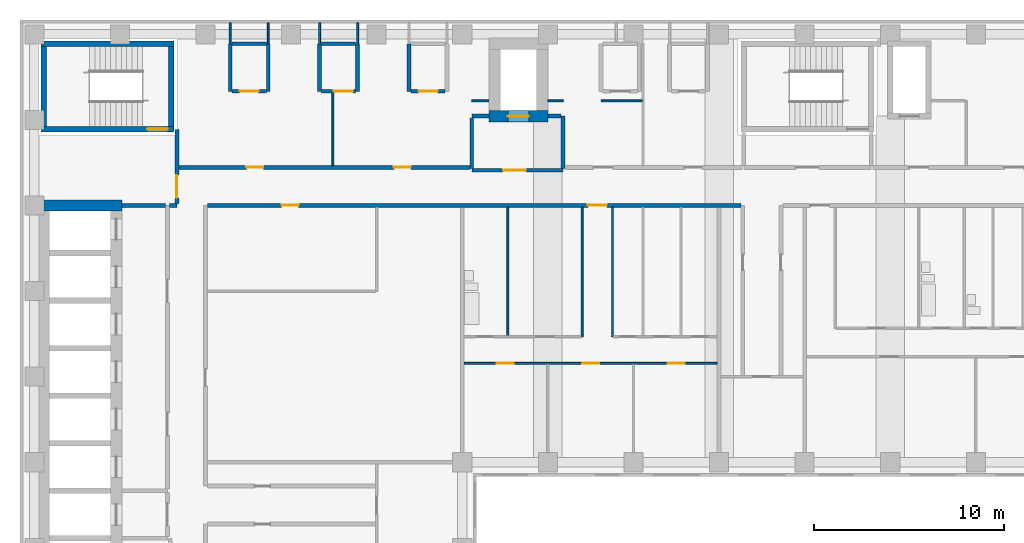
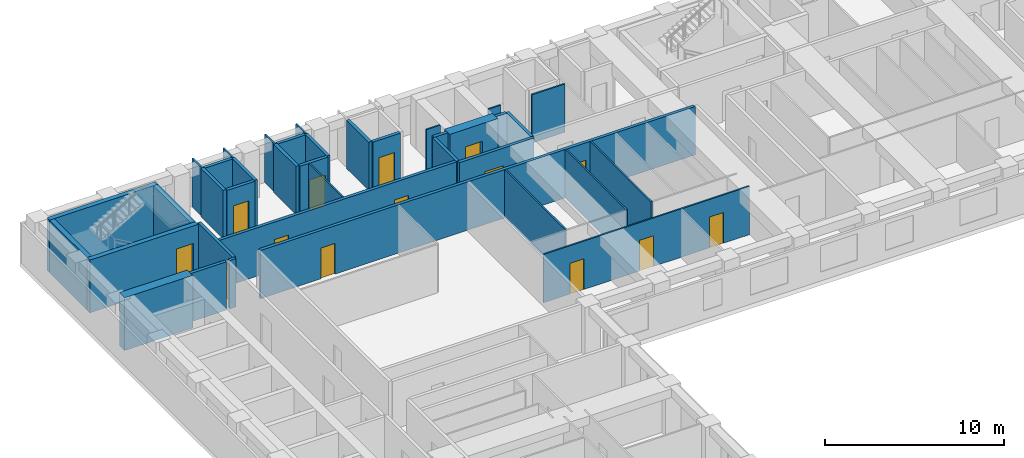
# One storey, part 5 of 11: 38 walls, 14 doors, 14 openings.
"""IFC4 building model written with IfcOpenShell, lengths in metres."""

import ifcopenshell
import ifcopenshell.guid

model = None  # the IFC model being written
_history = None  # IfcOwnerHistory: only IFC2X3 demands one
_inside = {}  # id of a spatial element -> (the spatial element, [elements in it])
_under = {}  # id of a project, library or spatial element -> (it, [spatial elements below it])
_declared = {}  # id of a project -> (the project, [libraries it declares])
_typed = {}  # id of a type object -> (the type object, [elements of that type])
_made_of = {}  # id of a material, layer set ... -> (it, [elements and type objects made of it])


def new_model(schema):
    """Start an empty IFC model of exactly this schema.

    Asked for "IFC4X3", IfcOpenShell would pick the latest addendum, in which some entities
    have other attributes; the version numbers below select the first issue.
    IFC2X3 requires an IfcOwnerHistory on every rooted entity: one is made here for all.
    """
    global model, _history
    if schema == "IFC4X3":
        model = ifcopenshell.file(schema_version=(4, 3, 0, 0))
    else:
        model = ifcopenshell.file(schema=schema)
    _inside.clear()
    _under.clear()
    _declared.clear()
    _typed.clear()
    _made_of.clear()
    _history = None
    if model.schema == "IFC2X3":
        org = make("IfcOrganization", Name="unknown")
        user = make(
            "IfcPersonAndOrganization",
            ThePerson=make("IfcPerson", FamilyName="unknown"),
            TheOrganization=org,
        )
        app = make(
            "IfcApplication",
            ApplicationDeveloper=org,
            Version="unknown",
            ApplicationFullName="unknown",
            ApplicationIdentifier="unknown",
        )
        _history = make(
            "IfcOwnerHistory",
            OwningUser=user,
            OwningApplication=app,
            ChangeAction="ADDED",
            CreationDate=0,
        )
    return model


def make(cls, **values):
    """One entity of the class cls with the attributes given. An attribute that is None is left unset."""
    return model.create_entity(
        cls, **{name: value for name, value in values.items() if value is not None}
    )


def rooted(cls, **values):
    """An entity with a GlobalId (a new one), such as an element, a storey or a relation."""
    return make(cls, GlobalId=ifcopenshell.guid.new(), OwnerHistory=_history, **values)


def si_unit(unit_type, name, prefix=None):
    """IfcSIUnit, for example si_unit("LENGTHUNIT", "METRE", prefix="MILLI")."""
    return make("IfcSIUnit", UnitType=unit_type, Prefix=prefix, Name=name)


def assignment(units):
    """IfcUnitAssignment: the units of a project."""
    return None if units is None else make("IfcUnitAssignment", Units=units)


def point(xyz):
    """IfcCartesianPoint."""
    return None if xyz is None else make("IfcCartesianPoint", Coordinates=xyz)


def direction(xyz):
    """IfcDirection."""
    return None if xyz is None else make("IfcDirection", DirectionRatios=xyz)


def frame(location, z_axis=None, x_axis=None):
    """IfcAxis2Placement3D, a coordinate frame: its origin and axes. An axis left out is left unset."""
    return make(
        "IfcAxis2Placement3D",
        Location=point(location),
        Axis=direction(z_axis),
        RefDirection=direction(x_axis),
    )


def frame_2d(location, x_axis=None):
    """IfcAxis2Placement2D, a coordinate frame in the plane: its origin and x axis."""
    return make(
        "IfcAxis2Placement2D", Location=point(location), RefDirection=direction(x_axis)
    )


def origin():
    """The frame at (0, 0, 0) with its axes left unset."""
    return frame((0.0, 0.0, 0.0))


def place(relative_to, where):
    """IfcLocalPlacement: puts the frame where relative to a parent placement (None: the world)."""
    return make(
        "IfcLocalPlacement", PlacementRelTo=relative_to, RelativePlacement=where
    )


def context(
    kind, dimensions, precision=None, world=None, true_north=None, identifier=None
):
    """IfcGeometricRepresentationContext, for example the 3D "Model" context."""
    return make(
        "IfcGeometricRepresentationContext",
        ContextIdentifier=identifier,
        ContextType=kind,
        CoordinateSpaceDimension=dimensions,
        Precision=precision,
        WorldCoordinateSystem=world,
        TrueNorth=true_north,
    )


def subcontext(parent, identifier, kind, view, scale=None):
    """IfcGeometricRepresentationSubContext, for example "Body" below "Model"."""
    return make(
        "IfcGeometricRepresentationSubContext",
        ContextIdentifier=identifier,
        ContextType=kind,
        ParentContext=parent,
        TargetScale=scale,
        TargetView=view,
    )


def project(units=None, contexts=None):
    """IfcProject with its units and contexts."""
    return rooted(
        "IfcProject",
        Name="project",
        RepresentationContexts=contexts,
        UnitsInContext=assignment(units),
    )


def spatial(cls, under=None, at=None, **own):
    """A site, building, storey or space (cls), placed at a placement, below another one or the project."""
    s = rooted(cls, ObjectPlacement=at, **own)
    if under is not None:
        _under.setdefault(under.id(), (under, []))[1].append(s)
    return s


def profile(cls, at=None, kind="AREA", **sizes):
    """A parametric profile (cls). Its sizes go by their IFC names, for example OverallWidth=200.0."""
    return make(cls, ProfileType=kind, Position=at, **sizes)


def rectangle(**sizes):
    """IfcRectangleProfileDef."""
    return profile("IfcRectangleProfileDef", **sizes)


def extrude(swept, where, along, depth):
    """IfcExtrudedAreaSolid: the profile swept, set in the frame where, extruded along a direction by depth."""
    return make(
        "IfcExtrudedAreaSolid",
        SweptArea=swept,
        Position=where,
        ExtrudedDirection=direction(along),
        Depth=depth,
    )


def shape(context_of_items, identifier, shape_type, items):
    """IfcShapeRepresentation: the items that make up one representation, for example the "Body"."""
    return make(
        "IfcShapeRepresentation",
        ContextOfItems=context_of_items,
        RepresentationIdentifier=identifier,
        RepresentationType=shape_type,
        Items=items,
    )


def material(Name=None, Category=None):
    """IfcMaterial."""
    return make("IfcMaterial", Name=Name, Category=Category)


def layer(
    of_material, thickness, ventilated=None, Name=None, Category=None, Priority=None
):
    """IfcMaterialLayer: one layer of a wall or slab, of a material (None: an air gap)."""
    return make(
        "IfcMaterialLayer",
        Material=of_material,
        LayerThickness=thickness,
        IsVentilated=ventilated,
        Name=Name,
        Category=Category,
        Priority=Priority,
    )


def layer_set(layers, Name=None):
    """IfcMaterialLayerSet."""
    return make("IfcMaterialLayerSet", MaterialLayers=layers, LayerSetName=Name)


def made_of(thing, what):
    """Note that an element or type object is made of a material, layer set ...; save() writes the relation."""
    if what is not None:
        _made_of.setdefault(what.id(), (what, []))[1].append(thing)
    return thing


def type_object(cls, material=None, **own):
    """A type object (cls), such as IfcWallType, which elements share."""
    return made_of(rooted(cls, **own), material)


def element(
    cls,
    number,
    at=None,
    inside=None,
    cuts=None,
    type_object=None,
    material=None,
    context=None,
    identifier="Body",
    shape_type=None,
    held_by="IfcProductDefinitionShape",
    body=None,
    shapes=None,
    **own,
):
    """One element of the class cls, such as IfcWall. Its Tag is "e" and its number.

    at: its placement. inside: the storey or other place that contains it. cuts: it is an
    opening in that element (IfcRelVoidsElement). A single representation is given by context,
    identifier, shape_type and body (its items); several are given by shapes. held_by: the class
    of the entity that holds the representations. save() writes the other relations.
    """
    e = rooted(cls, Tag="e%d" % number, ObjectPlacement=at, **own)
    if body is not None:
        shapes = [shape(context, identifier, shape_type, body)]
    if shapes is not None:
        e.Representation = make(held_by, Representations=shapes)
    if inside is not None:
        _inside.setdefault(inside.id(), (inside, []))[1].append(e)
    if cuts is not None:
        rooted(
            "IfcRelVoidsElement", RelatingBuildingElement=cuts, RelatedOpeningElement=e
        )
    if type_object is not None:
        _typed.setdefault(type_object.id(), (type_object, []))[1].append(e)
    return made_of(e, material)


def fill(opening, filler):
    """IfcRelFillsElement: the door or window that sits in an opening."""
    return rooted(
        "IfcRelFillsElement",
        RelatingOpeningElement=opening,
        RelatedBuildingElement=filler,
    )


def aggregate(whole, parts):
    """IfcRelAggregates: a whole, such as a stair, and the parts it consists of."""
    return rooted("IfcRelAggregates", RelatingObject=whole, RelatedObjects=parts)


def save(model, path):
    """Write the relations noted so far, then the file.

    IfcRelAggregates (storeys below a building ...), IfcRelContainedInSpatialStructure (elements
    in a storey), IfcRelDefinesByType, IfcRelAssociatesMaterial and IfcRelDeclares: one each for
    every whole, place, type object, material and project.
    """
    for whole, parts in _under.values():
        aggregate(whole, parts)
    for where, things in _inside.values():
        rooted(
            "IfcRelContainedInSpatialStructure",
            RelatedElements=things,
            RelatingStructure=where,
        )
    for kind, things in _typed.values():
        rooted("IfcRelDefinesByType", RelatedObjects=things, RelatingType=kind)
    for what, things in _made_of.values():
        rooted("IfcRelAssociatesMaterial", RelatedObjects=things, RelatingMaterial=what)
    for by, libraries in _declared.values():
        rooted("IfcRelDeclares", RelatingContext=by, RelatedDefinitions=libraries)
    model.write(path)


model = new_model("IFC4")

# Units and contexts
model_context = context("Model", 3, precision=1e-05, world=origin(), true_north=direction((0.0, 1.0)))
body_context = subcontext(model_context, "Body", "Model", "MODEL_VIEW")
ifc_project = project(units=[si_unit("LENGTHUNIT", "METRE"), si_unit("AREAUNIT", "SQUARE_METRE"), si_unit("VOLUMEUNIT", "CUBIC_METRE"), si_unit("PLANEANGLEUNIT", "RADIAN"), si_unit("MASSUNIT", "GRAM", prefix="KILO")], contexts=[model_context])

# Site, building, storey
site_placement = place(None, origin())
site = spatial("IfcSite", under=ifc_project, at=site_placement, CompositionType="ELEMENT")
building_placement = place(site_placement, origin())
building = spatial("IfcBuilding", under=site, at=building_placement, Name="Firuza Court", CompositionType="ELEMENT")
storey_placement = place(building_placement, frame((0.0, 0.0, 130.39990234375)))
storey = spatial("IfcBuildingStorey", under=building, at=storey_placement, Name="L32", CompositionType="ELEMENT", Elevation=130.39990234375)

# Wall
ifc_material_1 = material(Name="Moisture-resistant gypsum board partition")
ifc_layer_1 = layer(ifc_material_1, 0.10009765625)
ifc_layer_set_1 = layer_set([ifc_layer_1], Name="Moisture-resistant gypsum board partition")
wall_type_1 = type_object("IfcWallType", Name="Bathroom partition 100", PredefinedType="PLUMBINGWALL", material=ifc_layer_set_1)
wall_1_placement = place(storey_placement, frame((24.89990234375, 42.64990234375, 0.0), z_axis=(0.0, 0.0, 1.0), x_axis=(0.0, 1.0, 0.0)))
element("IfcWall", 1, at=wall_1_placement, inside=storey, type_object=wall_type_1, Name="Bathroom partition 100 L32", PredefinedType="PLUMBINGWALL", context=body_context, shape_type="SweptSolid", body=[
    extrude(rectangle(XDim=6.75, YDim=0.10009765625, at=frame_2d((3.375, 0.0))), origin(), (0.0, 0.0, 1.0), 3.300048828125),
])

# Wall, opening, door
ifc_material_2 = material(Name="Concrete C60/75", Category="concrete")
ifc_layer_2 = layer(ifc_material_2, 0.300048828125)
ifc_layer_set_2 = layer_set([ifc_layer_2], Name="Concrete C60/75")
wall_type_2 = type_object("IfcWallType", Name="Core wall 300 C60/75", PredefinedType="SHEAR", material=ifc_layer_set_2)
wall_2_placement = place(storey_placement, frame((0.35009765625, 53.5, -0.2998046875), z_axis=(0.0, 0.0, 1.0), x_axis=(1.0, 0.0, 0.0)))
wall_2 = element("IfcWall", 2, at=wall_2_placement, inside=storey, type_object=wall_type_2, Name="Core wall stair L32", PredefinedType="SHEAR", context=body_context, shape_type="SweptSolid", body=[
    extrude(rectangle(XDim=7.0, YDim=0.300048828125, at=frame_2d((3.5, 0.0))), origin(), (0.0, 0.0, 1.0), 3.599853515625),
])
opening_1_placement = place(wall_2_placement, frame((5.580078125, 0.0, 0.300048828125)))
opening_1 = element("IfcOpeningElement", 3, at=opening_1_placement, cuts=wall_2, Name="Opening D32015", PredefinedType="OPENING", context=body_context, shape_type="SweptSolid", body=[
    extrude(rectangle(XDim=1.10009765625, YDim=2.10009765625, at=frame_2d((0.550048828125, 1.050048828125))), frame((0.0, 0.162109375, 0.0), z_axis=(0.0, -1.0, 0.0), x_axis=(1.0, 0.0, 0.0)), (0.0, 0.0, 1.0), 0.323974609375),
])
ifc_material_3 = material(Name="Timber door leaf in hardwood frame", Category="wood")
door_type_1 = type_object("IfcDoorType", Name="Stair door 1100", OperationType="SINGLE_SWING_LEFT", PredefinedType="DOOR", material=ifc_material_3)
door_1_placement = place(opening_1_placement, origin())
door_1 = element("IfcDoor", 4, at=door_1_placement, inside=storey, type_object=door_type_1, Name="Stair door S3", OperationType="SINGLE_SWING_RIGHT", OverallHeight=2.10009765625, OverallWidth=1.10009765625, PredefinedType="DOOR", context=body_context, shape_type="SweptSolid", body=[
    extrude(rectangle(XDim=1.10009765625, YDim=2.10009765625, at=frame_2d((0.550048828125, 1.050048828125))), frame((0.0, 0.02490234375, 0.0), z_axis=(0.0, -1.0, 0.0), x_axis=(1.0, 0.0, 0.0)), (0.0, 0.0, 1.0), 0.050048828125),
])
fill(opening_1, door_1)

# Walls
wall_3_placement = place(storey_placement, frame((0.35009765625, 58.0, -0.2998046875), z_axis=(0.0, 0.0, 1.0), x_axis=(1.0, 0.0, 0.0)))
element("IfcWall", 5, at=wall_3_placement, inside=storey, type_object=wall_type_2, Name="Core wall stair L32", PredefinedType="SHEAR", context=body_context, shape_type="SweptSolid", body=[
    extrude(rectangle(XDim=7.0, YDim=0.300048828125, at=frame_2d((3.5, 0.0))), origin(), (0.0, 0.0, 1.0), 3.599853515625),
])
for number, where, z_axis, x_axis, name in (
    (6, (0.5, 53.64990234375, -0.2998046875), (0.0, 0.0, 1.0), (0.0, 1.0, 0.0), "Core wall stair L32"),
    (7, (7.199951171875, 53.64990234375, -0.2998046875), (0.0, 0.0, 1.0), (0.0, 1.0, 0.0), "Core wall stair L32"),
):
    element("IfcWall", number, at=place(storey_placement, frame(where, z_axis=z_axis, x_axis=x_axis)), inside=storey, type_object=wall_type_2, Name=name, PredefinedType="SHEAR", context=body_context, shape_type="SweptSolid", body=[
        extrude(rectangle(XDim=4.2001953125, YDim=0.300048828125, at=frame_2d((2.10009765625, 0.0))), origin(), (0.0, 0.0, 1.0), 3.599853515625),
    ])
ifc_layer_3 = layer(ifc_material_2, 0.60009765625)
ifc_layer_set_3 = layer_set([ifc_layer_3], Name="Concrete C60/75")
wall_type_3 = type_object("IfcWallType", Name="Core wall 600 C60/75", PredefinedType="SHEAR", material=ifc_layer_set_3)
wall_4_placement = place(storey_placement, frame((0.199951171875, 49.5, -0.2998046875), z_axis=(0.0, 0.0, 1.0), x_axis=(1.0, 0.0, 0.0)))
element("IfcWall", 8, at=wall_4_placement, inside=storey, type_object=wall_type_3, Name="Core wall lift shaft L32", PredefinedType="SHEAR", context=body_context, shape_type="SweptSolid", body=[
    extrude(rectangle(XDim=4.400146484375, YDim=0.60009765625, at=frame_2d((2.2001953125, 0.0))), origin(), (0.0, 0.0, 1.0), 3.599853515625),
])

# Wall, opening, door
wall_5_placement = place(storey_placement, frame((23.89990234375, 54.199951171875, -0.2998046875), z_axis=(0.0, 0.0, 1.0), x_axis=(1.0, 0.0, 0.0)))
wall_5 = element("IfcWall", 9, at=wall_5_placement, inside=storey, type_object=wall_type_3, Name="Core wall lift shaft L32", PredefinedType="SHEAR", context=body_context, shape_type="SweptSolid", body=[
    extrude(rectangle(XDim=3.10009765625, YDim=0.60009765625, at=frame_2d((1.550048828125, 0.0))), origin(), (0.0, 0.0, 1.0), 3.599853515625),
])
opening_2_placement = place(wall_5_placement, frame((1.0, 0.0, 0.300048828125)))
opening_2 = element("IfcOpeningElement", 10, at=opening_2_placement, cuts=wall_5, Name="Opening LD-FL3-32", PredefinedType="OPENING", context=body_context, shape_type="SweptSolid", body=[
    extrude(rectangle(XDim=1.10009765625, YDim=2.10009765625, at=frame_2d((0.550048828125, 1.050048828125))), frame((0.0, 0.31201171875, 0.0), z_axis=(0.0, -1.0, 0.0), x_axis=(1.0, 0.0, 0.0)), (0.0, 0.0, 1.0), 0.6240234375),
])
ifc_material_4 = material(Name="Stainless steel 1.4301 door leaf", Category="steel")
door_type_2 = type_object("IfcDoorType", Name="Lift landing door 1100", OperationType="SLIDING_TO_LEFT", PredefinedType="DOOR", material=ifc_material_4)
door_2_placement = place(opening_2_placement, origin())
door_2 = element("IfcDoor", 11, at=door_2_placement, inside=storey, type_object=door_type_2, Name="Landing door FL3", OperationType="SLIDING_TO_LEFT", OverallHeight=2.10009765625, OverallWidth=1.10009765625, PredefinedType="DOOR", context=body_context, shape_type="SweptSolid", body=[
    extrude(rectangle(XDim=1.10009765625, YDim=2.10009765625, at=frame_2d((0.550048828125, 1.050048828125))), frame((0.0, 0.02490234375, 0.0), z_axis=(0.0, -1.0, 0.0), x_axis=(1.0, 0.0, 0.0)), (0.0, 0.0, 1.0), 0.050048828125),
])
fill(opening_2, door_2)

# Wall, openings, doors
ifc_material_5 = material(Name="Blockwork, plastered both sides", Category="masonry")
ifc_layer_4 = layer(ifc_material_5, 0.199951171875)
ifc_layer_set_4 = layer_set([ifc_layer_4], Name="Blockwork, plastered both sides")
wall_type_4 = type_object("IfcWallType", Name="Corridor wall 200", PredefinedType="PARTITIONING", material=ifc_layer_set_4)
wall_6_placement = place(storey_placement, frame((9.10009765625, 49.5, 0.0), z_axis=(0.0, 0.0, 1.0), x_axis=(1.0, 0.0, 0.0)))
wall_6 = element("IfcWall", 12, at=wall_6_placement, inside=storey, type_object=wall_type_4, Name="Corridor wall 200 L32", PredefinedType="PARTITIONING", context=body_context, shape_type="SweptSolid", body=[
    extrude(rectangle(XDim=28.0498046875, YDim=0.199951171875, at=frame_2d((14.02490234375, 0.0))), origin(), (0.0, 0.0, 1.0), 3.300048828125),
])
opening_3_placement = place(wall_6_placement, frame((20.0, 0.0, 0.0)))
opening_3 = element("IfcOpeningElement", 13, at=opening_3_placement, cuts=wall_6, Name="Opening D32064", PredefinedType="OPENING", context=body_context, shape_type="SweptSolid", body=[
    extrude(rectangle(XDim=1.0, YDim=2.10009765625, at=frame_2d((0.5, 1.050048828125))), frame((0.0, 0.11181640625, 0.0), z_axis=(0.0, -1.0, 0.0), x_axis=(1.0, 0.0, 0.0)), (0.0, 0.0, 1.0), 0.223876953125),
])
opening_4_placement = place(wall_6_placement, frame((3.89990234375, 0.0, 0.0)))
opening_4 = element("IfcOpeningElement", 14, at=opening_4_placement, cuts=wall_6, Name="Opening D32065", PredefinedType="OPENING", context=body_context, shape_type="SweptSolid", body=[
    extrude(rectangle(XDim=0.89990234375, YDim=2.10009765625, at=frame_2d((0.449951171875, 1.050048828125))), frame((0.0, 0.11181640625, 0.0), z_axis=(0.0, -1.0, 0.0), x_axis=(1.0, 0.0, 0.0)), (0.0, 0.0, 1.0), 0.223876953125),
])
ifc_material_6 = material(Name="Timber door leaf in hardwood frame", Category="wood")
door_type_3 = type_object("IfcDoorType", Name="Flat entrance door 1000", OperationType="SINGLE_SWING_LEFT", PredefinedType="DOOR", material=ifc_material_6)
door_3_placement = place(opening_3_placement, origin())
door_3 = element("IfcDoor", 15, at=door_3_placement, inside=storey, type_object=door_type_3, Name="Flat entrance door", OperationType="SINGLE_SWING_LEFT", OverallHeight=2.10009765625, OverallWidth=1.0, PredefinedType="DOOR", context=body_context, shape_type="SweptSolid", body=[
    extrude(rectangle(XDim=1.0, YDim=2.10009765625, at=frame_2d((0.5, 1.050048828125))), frame((0.0, 0.02490234375, 0.0), z_axis=(0.0, -1.0, 0.0), x_axis=(1.0, 0.0, 0.0)), (0.0, 0.0, 1.0), 0.050048828125),
])
fill(opening_3, door_3)
ifc_material_7 = material(Name="Timber door leaf in hardwood frame", Category="wood")
door_type_4 = type_object("IfcDoorType", Name="Room door 900 EI 30", OperationType="SINGLE_SWING_LEFT", PredefinedType="DOOR", material=ifc_material_7)
door_4_placement = place(opening_4_placement, frame((0.89990234375, 0.0, 0.0), z_axis=(0.0, 0.0, 1.0), x_axis=(-1.0, 0.0, 0.0)))
door_4 = element("IfcDoor", 16, at=door_4_placement, inside=storey, type_object=door_type_4, Name="Meeting room door", OperationType="SINGLE_SWING_RIGHT", OverallHeight=2.10009765625, OverallWidth=0.89990234375, PredefinedType="DOOR", context=body_context, shape_type="SweptSolid", body=[
    extrude(rectangle(XDim=0.89990234375, YDim=2.10009765625, at=frame_2d((0.449951171875, 1.050048828125))), frame((0.0, 0.02490234375, 0.0), z_axis=(0.0, -1.0, 0.0), x_axis=(1.0, 0.0, 0.0)), (0.0, 0.0, 1.0), 0.050048828125),
])
fill(opening_4, door_4)

wall_7_placement = place(storey_placement, frame((7.60009765625, 51.5, 0.0), z_axis=(0.0, 0.0, 1.0), x_axis=(1.0, 0.0, 0.0)))
wall_7 = element("IfcWall", 17, at=wall_7_placement, inside=storey, type_object=wall_type_4, Name="Corridor wall 200 L32", PredefinedType="PARTITIONING", context=body_context, shape_type="SweptSolid", body=[
    extrude(rectangle(XDim=15.2998046875, YDim=0.199951171875, at=frame_2d((7.64990234375, 0.0))), origin(), (0.0, 0.0, 1.0), 3.300048828125),
])
opening_5_placement = place(wall_7_placement, frame((3.550048828125, 0.0, 0.0)))
opening_5 = element("IfcOpeningElement", 18, at=opening_5_placement, cuts=wall_7, Name="Opening D32068", PredefinedType="OPENING", context=body_context, shape_type="SweptSolid", body=[
    extrude(rectangle(XDim=0.89990234375, YDim=2.10009765625, at=frame_2d((0.449951171875, 1.050048828125))), frame((0.0, 0.11181640625, 0.0), z_axis=(0.0, -1.0, 0.0), x_axis=(1.0, 0.0, 0.0)), (0.0, 0.0, 1.0), 0.223876953125),
])
opening_6_placement = place(wall_7_placement, frame((11.300048828125, 0.0, 0.0)))
opening_6 = element("IfcOpeningElement", 19, at=opening_6_placement, cuts=wall_7, Name="Opening D32069", PredefinedType="OPENING", context=body_context, shape_type="SweptSolid", body=[
    extrude(rectangle(XDim=0.89990234375, YDim=2.10009765625, at=frame_2d((0.449951171875, 1.050048828125))), frame((0.0, 0.11181640625, 0.0), z_axis=(0.0, -1.0, 0.0), x_axis=(1.0, 0.0, 0.0)), (0.0, 0.0, 1.0), 0.223876953125),
])
door_5_placement = place(opening_5_placement, origin())
door_5 = element("IfcDoor", 20, at=door_5_placement, inside=storey, type_object=door_type_4, Name="Meeting room door", OperationType="SINGLE_SWING_LEFT", OverallHeight=2.10009765625, OverallWidth=0.89990234375, PredefinedType="DOOR", context=body_context, shape_type="SweptSolid", body=[
    extrude(rectangle(XDim=0.89990234375, YDim=2.10009765625, at=frame_2d((0.449951171875, 1.050048828125))), frame((0.0, 0.02490234375, 0.0), z_axis=(0.0, -1.0, 0.0), x_axis=(1.0, 0.0, 0.0)), (0.0, 0.0, 1.0), 0.050048828125),
])
fill(opening_5, door_5)
door_6_placement = place(opening_6_placement, origin())
door_6 = element("IfcDoor", 21, at=door_6_placement, inside=storey, type_object=door_type_4, Name="Meeting room door", OperationType="SINGLE_SWING_LEFT", OverallHeight=2.10009765625, OverallWidth=0.89990234375, PredefinedType="DOOR", context=body_context, shape_type="SweptSolid", body=[
    extrude(rectangle(XDim=0.89990234375, YDim=2.10009765625, at=frame_2d((0.449951171875, 1.050048828125))), frame((0.0, 0.02490234375, 0.0), z_axis=(0.0, -1.0, 0.0), x_axis=(1.0, 0.0, 0.0)), (0.0, 0.0, 1.0), 0.050048828125),
])
fill(opening_6, door_6)

ifc_material_8 = material(Name="Timber stud partition, plasterboard both sides", Category="wood")
ifc_layer_5 = layer(ifc_material_8, 0.10009765625)
ifc_layer_set_5 = layer_set([ifc_layer_5], Name="Timber stud partition, plasterboard both sides")
wall_type_5 = type_object("IfcWallType", Name="Partition wall 100", PredefinedType="PARTITIONING", material=ifc_layer_set_5)
wall_8_placement = place(storey_placement, frame((22.60009765625, 41.199951171875, 0.0), z_axis=(0.0, 0.0, 1.0), x_axis=(1.0, 0.0, 0.0)))
wall_8 = element("IfcWall", 22, at=wall_8_placement, inside=storey, type_object=wall_type_5, Name="Partition wall 100 L32", PredefinedType="PARTITIONING", context=body_context, shape_type="SweptSolid", body=[
    extrude(rectangle(XDim=13.2998046875, YDim=0.10009765625, at=frame_2d((6.64990234375, 0.0))), origin(), (0.0, 0.0, 1.0), 3.300048828125),
])
opening_7_placement = place(wall_8_placement, frame((1.699951171875, 0.0, 0.0)))
opening_7 = element("IfcOpeningElement", 23, at=opening_7_placement, cuts=wall_8, Name="Opening D32045", PredefinedType="OPENING", context=body_context, shape_type="SweptSolid", body=[
    extrude(rectangle(XDim=0.89990234375, YDim=2.10009765625, at=frame_2d((0.449951171875, 1.050048828125))), frame((0.0, 0.06201171875, 0.0), z_axis=(0.0, -1.0, 0.0), x_axis=(1.0, 0.0, 0.0)), (0.0, 0.0, 1.0), 0.1240234375),
])
opening_8_placement = place(wall_8_placement, frame((6.199951171875, 0.0, 0.0)))
opening_8 = element("IfcOpeningElement", 24, at=opening_8_placement, cuts=wall_8, Name="Opening D32046", PredefinedType="OPENING", context=body_context, shape_type="SweptSolid", body=[
    extrude(rectangle(XDim=0.89990234375, YDim=2.10009765625, at=frame_2d((0.449951171875, 1.050048828125))), frame((0.0, 0.06201171875, 0.0), z_axis=(0.0, -1.0, 0.0), x_axis=(1.0, 0.0, 0.0)), (0.0, 0.0, 1.0), 0.1240234375),
])
opening_9_placement = place(wall_8_placement, frame((10.699951171875, 0.0, 0.0)))
opening_9 = element("IfcOpeningElement", 25, at=opening_9_placement, cuts=wall_8, Name="Opening D32047", PredefinedType="OPENING", context=body_context, shape_type="SweptSolid", body=[
    extrude(rectangle(XDim=0.89990234375, YDim=2.10009765625, at=frame_2d((0.449951171875, 1.050048828125))), frame((0.0, 0.06201171875, 0.0), z_axis=(0.0, -1.0, 0.0), x_axis=(1.0, 0.0, 0.0)), (0.0, 0.0, 1.0), 0.1240234375),
])
ifc_material_9 = material(Name="Timber door leaf in hardwood frame", Category="wood")
door_type_5 = type_object("IfcDoorType", Name="Room door 900", OperationType="SINGLE_SWING_LEFT", PredefinedType="DOOR", material=ifc_material_9)
door_7_placement = place(opening_7_placement, frame((0.89990234375, 0.0, 0.0), z_axis=(0.0, 0.0, 1.0), x_axis=(-1.0, 0.0, 0.0)))
door_7 = element("IfcDoor", 26, at=door_7_placement, inside=storey, type_object=door_type_5, Name="Bedroom door", OperationType="SINGLE_SWING_RIGHT", OverallHeight=2.10009765625, OverallWidth=0.89990234375, PredefinedType="DOOR", context=body_context, shape_type="SweptSolid", body=[
    extrude(rectangle(XDim=0.89990234375, YDim=2.10009765625, at=frame_2d((0.449951171875, 1.050048828125))), frame((0.0, 0.02490234375, 0.0), z_axis=(0.0, -1.0, 0.0), x_axis=(1.0, 0.0, 0.0)), (0.0, 0.0, 1.0), 0.050048828125),
])
fill(opening_7, door_7)
door_8_placement = place(opening_8_placement, frame((0.89990234375, 0.0, 0.0), z_axis=(0.0, 0.0, 1.0), x_axis=(-1.0, 0.0, 0.0)))
door_8 = element("IfcDoor", 27, at=door_8_placement, inside=storey, type_object=door_type_5, Name="Living room door", OperationType="SINGLE_SWING_RIGHT", OverallHeight=2.10009765625, OverallWidth=0.89990234375, PredefinedType="DOOR", context=body_context, shape_type="SweptSolid", body=[
    extrude(rectangle(XDim=0.89990234375, YDim=2.10009765625, at=frame_2d((0.449951171875, 1.050048828125))), frame((0.0, 0.02490234375, 0.0), z_axis=(0.0, -1.0, 0.0), x_axis=(1.0, 0.0, 0.0)), (0.0, 0.0, 1.0), 0.050048828125),
])
fill(opening_8, door_8)
door_9_placement = place(opening_9_placement, frame((0.89990234375, 0.0, 0.0), z_axis=(0.0, 0.0, 1.0), x_axis=(-1.0, 0.0, 0.0)))
door_9 = element("IfcDoor", 28, at=door_9_placement, inside=storey, type_object=door_type_5, Name="Bedroom door", OperationType="SINGLE_SWING_RIGHT", OverallHeight=2.10009765625, OverallWidth=0.89990234375, PredefinedType="DOOR", context=body_context, shape_type="SweptSolid", body=[
    extrude(rectangle(XDim=0.89990234375, YDim=2.10009765625, at=frame_2d((0.449951171875, 1.050048828125))), frame((0.0, 0.02490234375, 0.0), z_axis=(0.0, -1.0, 0.0), x_axis=(1.0, 0.0, 0.0)), (0.0, 0.0, 1.0), 0.050048828125),
])
fill(opening_9, door_9)

# Walls
for number, where, z_axis, x_axis, name in (
    (29, (28.800048828125, 42.60009765625, 0.0), (0.0, 0.0, 1.0), (0.0, 1.0, 0.0), "Partition wall 100 L32"),
    (30, (30.39990234375, 42.60009765625, 0.0), (0.0, 0.0, 1.0), (0.0, 1.0, 0.0), "Partition wall 100 L32"),
):
    element("IfcWall", number, at=place(storey_placement, frame(where, z_axis=z_axis, x_axis=x_axis)), inside=storey, type_object=wall_type_5, Name=name, PredefinedType="PARTITIONING", context=body_context, shape_type="SweptSolid", body=[
        extrude(rectangle(XDim=6.7998046875, YDim=0.10009765625, at=frame_2d((3.39990234375, 0.0))), origin(), (0.0, 0.0, 1.0), 3.300048828125),
    ])
wall_9_placement = place(storey_placement, frame((15.699951171875, 51.60009765625, 0.0), z_axis=(0.0, 0.0, 1.0), x_axis=(0.0, 1.0, 0.0)))
element("IfcWall", 31, at=wall_9_placement, inside=storey, type_object=wall_type_5, Name="Partition wall 100 L32", PredefinedType="PARTITIONING", context=body_context, shape_type="SweptSolid", body=[
    extrude(rectangle(XDim=3.7998046875, YDim=0.10009765625, at=frame_2d((1.89990234375, 0.0))), origin(), (0.0, 0.0, 1.0), 3.300048828125),
])
wall_10_placement = place(storey_placement, frame((23.0, 55.0, 0.0), z_axis=(0.0, 0.0, 1.0), x_axis=(1.0, 0.0, 0.0)))
element("IfcWall", 32, at=wall_10_placement, inside=storey, type_object=wall_type_5, Name="Partition wall 100 L32", PredefinedType="PARTITIONING", context=body_context, shape_type="SweptSolid", body=[
    extrude(rectangle(XDim=0.89990234375, YDim=0.10009765625, at=frame_2d((0.449951171875, 0.0))), origin(), (0.0, 0.0, 1.0), 3.300048828125),
])
wall_11_placement = place(storey_placement, frame((27.0, 55.0, 0.0), z_axis=(0.0, 0.0, 1.0), x_axis=(1.0, 0.0, 0.0)))
element("IfcWall", 33, at=wall_11_placement, inside=storey, type_object=wall_type_5, Name="Partition wall 100 L32", PredefinedType="PARTITIONING", context=body_context, shape_type="SweptSolid", body=[
    extrude(rectangle(XDim=0.800048828125, YDim=0.10009765625, at=frame_2d((0.39990234375, 0.0))), origin(), (0.0, 0.0, 1.0), 3.300048828125),
])
wall_12_placement = place(storey_placement, frame((29.800048828125, 55.0, 0.0), z_axis=(0.0, 0.0, 1.0), x_axis=(1.0, 0.0, 0.0)))
element("IfcWall", 34, at=wall_12_placement, inside=storey, type_object=wall_type_5, Name="Partition wall 100 L32", PredefinedType="PARTITIONING", context=body_context, shape_type="SweptSolid", body=[
    extrude(rectangle(XDim=2.14990234375, YDim=0.10009765625, at=frame_2d((1.074951171875, 0.0))), origin(), (0.0, 0.0, 1.0), 3.300048828125),
])
for number, where, z_axis, x_axis, name in (
    (35, (10.300048828125, 58.0, 0.0), (0.0, 0.0, 1.0), (0.0, 1.0, 0.0), "Partition wall 100 L32"),
    (36, (12.300048828125, 58.0, 0.0), (0.0, 0.0, 1.0), (0.0, 1.0, 0.0), "Partition wall 100 L32"),
    (37, (15.0, 58.0, 0.0), (0.0, 0.0, 1.0), (0.0, 1.0, 0.0), "Partition wall 100 L32"),
    (38, (17.0, 58.0, 0.0), (0.0, 0.0, 1.0), (0.0, 1.0, 0.0), "Partition wall 100 L32"),
):
    element("IfcWall", number, at=place(storey_placement, frame(where, z_axis=z_axis, x_axis=x_axis)), inside=storey, type_object=wall_type_5, Name=name, PredefinedType="PARTITIONING", context=body_context, shape_type="SweptSolid", body=[
        extrude(rectangle(XDim=1.10009765625, YDim=0.10009765625, at=frame_2d((0.550048828125, 0.0))), origin(), (0.0, 0.0, 1.0), 3.300048828125),
    ])
ifc_material_10 = material(Name="Blockwork, fire-rated", Category="masonry")
ifc_layer_6 = layer(ifc_material_10, 0.199951171875)
ifc_layer_set_6 = layer_set([ifc_layer_6], Name="Blockwork, fire-rated")
wall_type_6 = type_object("IfcWallType", Name="Plant room wall 200", PredefinedType="PARTITIONING", material=ifc_layer_set_6)
wall_13_placement = place(storey_placement, frame((10.300048828125, 55.5, 0.0), z_axis=(0.0, 0.0, 1.0), x_axis=(0.0, 1.0, 0.0)))
element("IfcWall", 39, at=wall_13_placement, inside=storey, type_object=wall_type_6, Name="Plant room wall 200 L32", PredefinedType="PARTITIONING", context=body_context, shape_type="SweptSolid", body=[
    extrude(rectangle(XDim=2.5, YDim=0.199951171875, at=frame_2d((1.25, 0.0))), origin(), (0.0, 0.0, 1.0), 3.300048828125),
])

# Wall, opening, door
wall_14_placement = place(storey_placement, frame((10.39990234375, 55.5, 0.0), z_axis=(0.0, 0.0, 1.0), x_axis=(1.0, 0.0, 0.0)))
wall_14 = element("IfcWall", 40, at=wall_14_placement, inside=storey, type_object=wall_type_6, Name="Plant room wall 200 L32", PredefinedType="PARTITIONING", context=body_context, shape_type="SweptSolid", body=[
    extrude(rectangle(XDim=1.800048828125, YDim=0.199951171875, at=frame_2d((0.89990234375, 0.0))), origin(), (0.0, 0.0, 1.0), 3.300048828125),
])
opening_10_placement = place(wall_14_placement, frame((0.39990234375, 0.0, 0.0)))
opening_10 = element("IfcOpeningElement", 41, at=opening_10_placement, cuts=wall_14, Name="Opening D32076", PredefinedType="OPENING", context=body_context, shape_type="SweptSolid", body=[
    extrude(rectangle(XDim=1.0, YDim=2.10009765625, at=frame_2d((0.5, 1.050048828125))), frame((0.0, 0.11181640625, 0.0), z_axis=(0.0, -1.0, 0.0), x_axis=(1.0, 0.0, 0.0)), (0.0, 0.0, 1.0), 0.223876953125),
])
ifc_material_11 = material(Name="Timber door leaf in hardwood frame", Category="wood")
door_type_6 = type_object("IfcDoorType", Name="Riser door 1000", OperationType="SINGLE_SWING_LEFT", PredefinedType="DOOR", material=ifc_material_11)
door_10_placement = place(opening_10_placement, origin())
door_10 = element("IfcDoor", 42, at=door_10_placement, inside=storey, type_object=door_type_6, Name="Comms riser door", OperationType="SINGLE_SWING_LEFT", OverallHeight=2.10009765625, OverallWidth=1.0, PredefinedType="DOOR", context=body_context, shape_type="SweptSolid", body=[
    extrude(rectangle(XDim=1.0, YDim=2.10009765625, at=frame_2d((0.5, 1.050048828125))), frame((0.0, 0.02490234375, 0.0), z_axis=(0.0, -1.0, 0.0), x_axis=(1.0, 0.0, 0.0)), (0.0, 0.0, 1.0), 0.050048828125),
])
fill(opening_10, door_10)

# Walls
for number, where, z_axis, x_axis, name in (
    (43, (12.300048828125, 55.5, 0.0), (0.0, 0.0, 1.0), (0.0, 1.0, 0.0), "Plant room wall 200 L32"),
    (44, (15.0, 55.5, 0.0), (0.0, 0.0, 1.0), (0.0, 1.0, 0.0), "Plant room wall 200 L32"),
):
    element("IfcWall", number, at=place(storey_placement, frame(where, z_axis=z_axis, x_axis=x_axis)), inside=storey, type_object=wall_type_6, Name=name, PredefinedType="PARTITIONING", context=body_context, shape_type="SweptSolid", body=[
        extrude(rectangle(XDim=2.5, YDim=0.199951171875, at=frame_2d((1.25, 0.0))), origin(), (0.0, 0.0, 1.0), 3.300048828125),
    ])

# Wall, opening, door
wall_15_placement = place(storey_placement, frame((15.10009765625, 55.5, 0.0), z_axis=(0.0, 0.0, 1.0), x_axis=(1.0, 0.0, 0.0)))
wall_15 = element("IfcWall", 45, at=wall_15_placement, inside=storey, type_object=wall_type_6, Name="Plant room wall 200 L32", PredefinedType="PARTITIONING", context=body_context, shape_type="SweptSolid", body=[
    extrude(rectangle(XDim=1.7998046875, YDim=0.199951171875, at=frame_2d((0.89990234375, 0.0))), origin(), (0.0, 0.0, 1.0), 3.300048828125),
])
opening_11_placement = place(wall_15_placement, frame((0.64990234375, 0.0, 0.0)))
opening_11 = element("IfcOpeningElement", 46, at=opening_11_placement, cuts=wall_15, Name="Opening D32077", PredefinedType="OPENING", context=body_context, shape_type="SweptSolid", body=[
    extrude(rectangle(XDim=1.0, YDim=2.10009765625, at=frame_2d((0.5, 1.050048828125))), frame((0.0, 0.11181640625, 0.0), z_axis=(0.0, -1.0, 0.0), x_axis=(1.0, 0.0, 0.0)), (0.0, 0.0, 1.0), 0.223876953125),
])
door_11_placement = place(opening_11_placement, origin())
door_11 = element("IfcDoor", 47, at=door_11_placement, inside=storey, type_object=door_type_6, Name="Electrical riser door", OperationType="SINGLE_SWING_RIGHT", OverallHeight=2.10009765625, OverallWidth=1.0, PredefinedType="DOOR", context=body_context, shape_type="SweptSolid", body=[
    extrude(rectangle(XDim=1.0, YDim=2.10009765625, at=frame_2d((0.5, 1.050048828125))), frame((0.0, 0.02490234375, 0.0), z_axis=(0.0, -1.0, 0.0), x_axis=(1.0, 0.0, 0.0)), (0.0, 0.0, 1.0), 0.050048828125),
])
fill(opening_11, door_11)

# Walls
for number, where, z_axis, x_axis, name in (
    (48, (17.0, 55.5, 0.0), (0.0, 0.0, 1.0), (0.0, 1.0, 0.0), "Plant room wall 200 L32"),
    (49, (19.699951171875, 55.5, 0.0), (0.0, 0.0, 1.0), (0.0, 1.0, 0.0), "Plant room wall 200 L32"),
):
    element("IfcWall", number, at=place(storey_placement, frame(where, z_axis=z_axis, x_axis=x_axis)), inside=storey, type_object=wall_type_6, Name=name, PredefinedType="PARTITIONING", context=body_context, shape_type="SweptSolid", body=[
        extrude(rectangle(XDim=2.5, YDim=0.199951171875, at=frame_2d((1.25, 0.0))), origin(), (0.0, 0.0, 1.0), 3.300048828125),
    ])

# Wall, opening, door
wall_16_placement = place(storey_placement, frame((19.800048828125, 55.5, 0.0), z_axis=(0.0, 0.0, 1.0), x_axis=(1.0, 0.0, 0.0)))
wall_16 = element("IfcWall", 50, at=wall_16_placement, inside=storey, type_object=wall_type_6, Name="Plant room wall 200 L32", PredefinedType="PARTITIONING", context=body_context, shape_type="SweptSolid", body=[
    extrude(rectangle(XDim=1.800048828125, YDim=0.199951171875, at=frame_2d((0.89990234375, 0.0))), origin(), (0.0, 0.0, 1.0), 3.300048828125),
])
opening_12_placement = place(wall_16_placement, frame((0.39990234375, 0.0, 0.0)))
opening_12 = element("IfcOpeningElement", 51, at=opening_12_placement, cuts=wall_16, Name="Opening D32078", PredefinedType="OPENING", context=body_context, shape_type="SweptSolid", body=[
    extrude(rectangle(XDim=1.0, YDim=2.10009765625, at=frame_2d((0.5, 1.050048828125))), frame((0.0, 0.11181640625, 0.0), z_axis=(0.0, -1.0, 0.0), x_axis=(1.0, 0.0, 0.0)), (0.0, 0.0, 1.0), 0.223876953125),
])
door_12_placement = place(opening_12_placement, origin())
door_12 = element("IfcDoor", 52, at=door_12_placement, inside=storey, type_object=door_type_6, Name="Duct riser door", OperationType="SINGLE_SWING_LEFT", OverallHeight=2.10009765625, OverallWidth=1.0, PredefinedType="DOOR", context=body_context, shape_type="SweptSolid", body=[
    extrude(rectangle(XDim=1.0, YDim=2.10009765625, at=frame_2d((0.5, 1.050048828125))), frame((0.0, 0.02490234375, 0.0), z_axis=(0.0, -1.0, 0.0), x_axis=(1.0, 0.0, 0.0)), (0.0, 0.0, 1.0), 0.050048828125),
])
fill(opening_12, door_12)

# Walls
wall_17_placement = place(storey_placement, frame((10.39990234375, 58.0, 0.0), z_axis=(0.0, 0.0, 1.0), x_axis=(1.0, 0.0, 0.0)))
element("IfcWall", 53, at=wall_17_placement, inside=storey, type_object=wall_type_6, Name="Plant room wall 200 L32", PredefinedType="PARTITIONING", context=body_context, shape_type="SweptSolid", body=[
    extrude(rectangle(XDim=1.800048828125, YDim=0.199951171875, at=frame_2d((0.89990234375, 0.0))), origin(), (0.0, 0.0, 1.0), 3.300048828125),
])
wall_18_placement = place(storey_placement, frame((15.10009765625, 58.0, 0.0), z_axis=(0.0, 0.0, 1.0), x_axis=(1.0, 0.0, 0.0)))
element("IfcWall", 54, at=wall_18_placement, inside=storey, type_object=wall_type_6, Name="Plant room wall 200 L32", PredefinedType="PARTITIONING", context=body_context, shape_type="SweptSolid", body=[
    extrude(rectangle(XDim=1.7998046875, YDim=0.199951171875, at=frame_2d((0.89990234375, 0.0))), origin(), (0.0, 0.0, 1.0), 3.300048828125),
])
ifc_layer_7 = layer(ifc_material_10, 0.199951171875)
ifc_layer_set_7 = layer_set([ifc_layer_7], Name="Blockwork, fire-rated")
wall_type_7 = type_object("IfcWallType", Name="Shaft wall 200", PredefinedType="PARTITIONING", material=ifc_layer_set_7)
wall_19_placement = place(storey_placement, frame((4.60009765625, 49.5, 0.0), z_axis=(0.0, 0.0, 1.0), x_axis=(1.0, 0.0, 0.0)))
element("IfcWall", 55, at=wall_19_placement, inside=storey, type_object=wall_type_7, Name="Shaft wall 200 L32", PredefinedType="PARTITIONING", context=body_context, shape_type="SweptSolid", body=[
    extrude(rectangle(XDim=2.2998046875, YDim=0.199951171875, at=frame_2d((1.14990234375, 0.0))), origin(), (0.0, 0.0, 1.0), 3.300048828125),
])

# Wall, opening, door
wall_20_placement = place(storey_placement, frame((23.0, 51.35009765625, 0.0), z_axis=(0.0, 0.0, 1.0), x_axis=(1.0, 0.0, 0.0)))
wall_20 = element("IfcWall", 56, at=wall_20_placement, inside=storey, type_object=wall_type_7, Name="Shaft wall 200 L32", PredefinedType="PARTITIONING", context=body_context, shape_type="SweptSolid", body=[
    extrude(rectangle(XDim=4.800048828125, YDim=0.199951171875, at=frame_2d((2.39990234375, 0.0))), origin(), (0.0, 0.0, 1.0), 3.300048828125),
])
opening_13_placement = place(wall_20_placement, frame((1.64990234375, 0.0, 0.0)))
opening_13 = element("IfcOpeningElement", 57, at=opening_13_placement, cuts=wall_20, Name="Opening D32003", PredefinedType="OPENING", context=body_context, shape_type="SweptSolid", body=[
    extrude(rectangle(XDim=1.199951171875, YDim=2.10009765625, at=frame_2d((0.60009765625, 1.050048828125))), frame((0.0, 0.11181640625, 0.0), z_axis=(0.0, -1.0, 0.0), x_axis=(1.0, 0.0, 0.0)), (0.0, 0.0, 1.0), 0.223876953125),
])
ifc_material_12 = material(Name="Timber door leaf in hardwood frame", Category="wood")
door_type_7 = type_object("IfcDoorType", Name="Lobby door 1200", OperationType="SINGLE_SWING_LEFT", PredefinedType="DOOR", material=ifc_material_12)
door_13_placement = place(opening_13_placement, origin())
door_13 = element("IfcDoor", 58, at=door_13_placement, inside=storey, type_object=door_type_7, Name="Fire-fighting lobby door", OperationType="SINGLE_SWING_LEFT", OverallHeight=2.10009765625, OverallWidth=1.199951171875, PredefinedType="DOOR", context=body_context, shape_type="SweptSolid", body=[
    extrude(rectangle(XDim=1.199951171875, YDim=2.10009765625, at=frame_2d((0.60009765625, 1.050048828125))), frame((0.0, 0.02490234375, 0.0), z_axis=(0.0, -1.0, 0.0), x_axis=(1.0, 0.0, 0.0)), (0.0, 0.0, 1.0), 0.050048828125),
])
fill(opening_13, door_13)

# Walls
wall_21_placement = place(storey_placement, frame((27.800048828125, 51.449951171875, 0.0), z_axis=(0.0, 0.0, 1.0), x_axis=(0.0, 1.0, 0.0)))
element("IfcWall", 59, at=wall_21_placement, inside=storey, type_object=wall_type_7, Name="Shaft wall 200 L32", PredefinedType="PARTITIONING", context=body_context, shape_type="SweptSolid", body=[
    extrude(rectangle(XDim=2.75, YDim=0.199951171875, at=frame_2d((1.375, 0.0))), origin(), (0.0, 0.0, 1.0), 3.300048828125),
])
wall_22_placement = place(storey_placement, frame((23.0, 54.199951171875, 0.0), z_axis=(0.0, 0.0, 1.0), x_axis=(1.0, 0.0, 0.0)))
element("IfcWall", 60, at=wall_22_placement, inside=storey, type_object=wall_type_7, Name="Shaft wall 200 L32", PredefinedType="PARTITIONING", context=body_context, shape_type="SweptSolid", body=[
    extrude(rectangle(XDim=0.89990234375, YDim=0.199951171875, at=frame_2d((0.449951171875, 0.0))), origin(), (0.0, 0.0, 1.0), 3.300048828125),
])
wall_23_placement = place(storey_placement, frame((27.0, 54.199951171875, 0.0), z_axis=(0.0, 0.0, 1.0), x_axis=(1.0, 0.0, 0.0)))
element("IfcWall", 61, at=wall_23_placement, inside=storey, type_object=wall_type_7, Name="Shaft wall 200 L32", PredefinedType="PARTITIONING", context=body_context, shape_type="SweptSolid", body=[
    extrude(rectangle(XDim=0.699951171875, YDim=0.199951171875, at=frame_2d((0.35009765625, 0.0))), origin(), (0.0, 0.0, 1.0), 3.300048828125),
])
wall_24_placement = place(storey_placement, frame((23.0, 51.449951171875, 0.0), z_axis=(0.0, 0.0, 1.0), x_axis=(0.0, 1.0, 0.0)))
element("IfcWall", 62, at=wall_24_placement, inside=storey, type_object=wall_type_7, Name="Shaft wall 200 L32", PredefinedType="PARTITIONING", context=body_context, shape_type="SweptSolid", body=[
    extrude(rectangle(XDim=2.650146484375, YDim=0.199951171875, at=frame_2d((1.3251953125, 0.0))), origin(), (0.0, 0.0, 1.0), 3.300048828125),
])
wall_25_placement = place(storey_placement, frame((7.10009765625, 49.5, 0.0), z_axis=(0.0, 0.0, 1.0), x_axis=(1.0, 0.0, 0.0)))
element("IfcWall", 63, at=wall_25_placement, inside=storey, type_object=wall_type_7, Name="Shaft wall 200 L32", PredefinedType="PARTITIONING", context=body_context, shape_type="SweptSolid", body=[
    extrude(rectangle(XDim=0.39990234375, YDim=0.199951171875, at=frame_2d((0.199951171875, 0.0))), origin(), (0.0, 0.0, 1.0), 3.300048828125),
])

# Wall, opening, door
wall_26_placement = place(storey_placement, frame((7.5, 49.60009765625, 0.0), z_axis=(0.0, 0.0, 1.0), x_axis=(0.0, 1.0, 0.0)))
wall_26 = element("IfcWall", 64, at=wall_26_placement, inside=storey, type_object=wall_type_7, Name="Shaft wall 200 L32", PredefinedType="PARTITIONING", context=body_context, shape_type="SweptSolid", body=[
    extrude(rectangle(XDim=3.89990234375, YDim=0.199951171875, at=frame_2d((1.949951171875, 0.0))), origin(), (0.0, 0.0, 1.0), 3.300048828125),
])
opening_14_placement = place(wall_26_placement, frame((0.300048828125, 0.0, 0.0)))
opening_14 = element("IfcOpeningElement", 65, at=opening_14_placement, cuts=wall_26, Name="Opening D32001", PredefinedType="OPENING", context=body_context, shape_type="SweptSolid", body=[
    extrude(rectangle(XDim=1.199951171875, YDim=2.10009765625, at=frame_2d((0.60009765625, 1.050048828125))), frame((0.0, 0.11181640625, 0.0), z_axis=(0.0, -1.0, 0.0), x_axis=(1.0, 0.0, 0.0)), (0.0, 0.0, 1.0), 0.223876953125),
])
door_14_placement = place(opening_14_placement, origin())
door_14 = element("IfcDoor", 66, at=door_14_placement, inside=storey, type_object=door_type_7, Name="Lobby door", OperationType="SINGLE_SWING_LEFT", OverallHeight=2.10009765625, OverallWidth=1.199951171875, PredefinedType="DOOR", context=body_context, shape_type="SweptSolid", body=[
    extrude(rectangle(XDim=1.199951171875, YDim=2.10009765625, at=frame_2d((0.60009765625, 1.050048828125))), frame((0.0, 0.02490234375, 0.0), z_axis=(0.0, -1.0, 0.0), x_axis=(1.0, 0.0, 0.0)), (0.0, 0.0, 1.0), 0.050048828125),
])
fill(opening_14, door_14)

save(model, "model.ifc")
